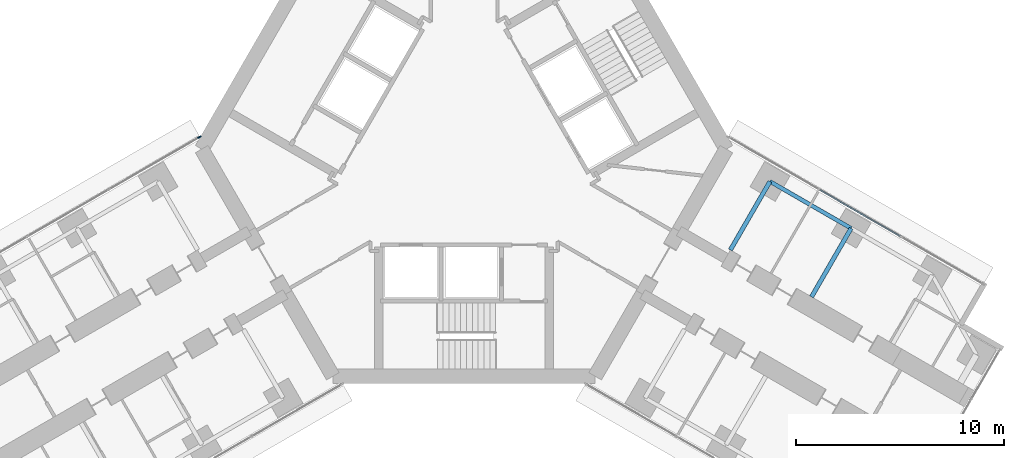
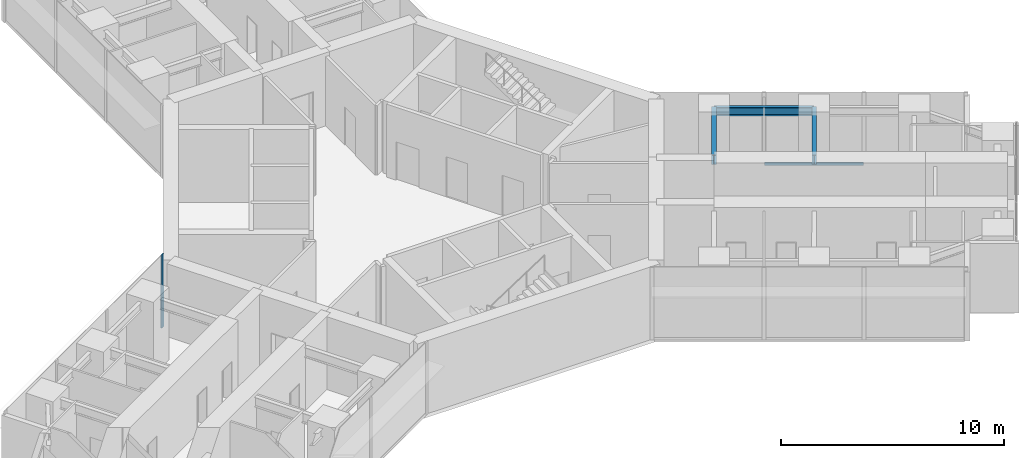
# One storey, part 10 of 25: 3 beams, 2 members, 2 elements without a shape of their own.
"""IFC4 building model written with IfcOpenShell, lengths in metres."""

from ifc_helpers import new_model, si_unit, direction, frame, origin, origin_2d, place, context, subcontext, project, spatial, rectangle, i_section, extrude, material, material_profile, profile_set, type_object, element, aggregate, save


model = new_model("IFC4")

# Units and contexts
model_context = context("Model", 3, precision=1e-05, world=origin(), true_north=direction((0.0, 1.0)))
body_context = subcontext(model_context, "Body", "Model", "MODEL_VIEW")
ifc_project = project(units=[si_unit("LENGTHUNIT", "METRE"), si_unit("AREAUNIT", "SQUARE_METRE"), si_unit("VOLUMEUNIT", "CUBIC_METRE"), si_unit("PLANEANGLEUNIT", "RADIAN"), si_unit("MASSUNIT", "GRAM", prefix="KILO")], contexts=[model_context])

# Site, building, storey
site_placement = place(None, origin())
site = spatial("IfcSite", under=ifc_project, at=site_placement, CompositionType="ELEMENT")
building_placement = place(site_placement, origin())
building = spatial("IfcBuilding", under=site, at=building_placement, Name="Upepo Twin Towers", CompositionType="ELEMENT")
storey_placement = place(building_placement, frame((0.0, 0.0, 76.5)))
storey = spatial("IfcBuildingStorey", under=building, at=storey_placement, Name="L18", CompositionType="ELEMENT", Elevation=76.5)

# Beams
ifc_material_1 = material(Name="Steel S355", Category="steel")
ifc_material_profile_1 = material_profile(ifc_material_1, i_section(OverallWidth=0.1904296875, OverallDepth=0.45703125, WebThickness=0.009033203125, FlangeThickness=0.014404296875, FilletRadius=0.01025390625, at=origin_2d()), Name="UB 457x191x74")
ifc_profile_set_1 = profile_set([ifc_material_profile_1], Name="Steel S355")
beam_type_1 = type_object("IfcBeamType", Name="Beam UB 457x191x74", PredefinedType="BEAM", material=ifc_profile_set_1)
beam_1_placement = place(storey_placement, frame((73.19140625, -19.553955078125, 3.571533203125), z_axis=(0.866017533419, -0.500013631625, 0.0), x_axis=(0.500013631625, 0.866017533419, 0.0)))
element("IfcBeam", 1, at=beam_1_placement, inside=storey, type_object=beam_type_1, Name="T2 edge beam CL 13.5-18.0", PredefinedType="BEAM", context=body_context, shape_type="SweptSolid", body=[
    extrude(i_section(OverallWidth=0.1904296875, OverallDepth=0.45703125, WebThickness=0.009033203125, FlangeThickness=0.014404296875, FilletRadius=0.01025390625, at=origin_2d()), origin(), (0.0, 0.0, 1.0), 4.499755859375),
])
ifc_material_2 = material(Name="Steel S355", Category="steel")
ifc_material_profile_2 = material_profile(ifc_material_2, i_section(OverallWidth=0.209228515625, OverallDepth=0.533203125, WebThickness=0.010009765625, FlangeThickness=0.015625, FilletRadius=0.0126953125, at=origin_2d()), Name="UB 533x210x92")
ifc_profile_set_2 = profile_set([ifc_material_profile_2], Name="Steel S355")
beam_type_2 = type_object("IfcBeamType", Name="Beam UB 533x210x92", PredefinedType="BEAM", material=ifc_profile_set_2)
beam_2_placement = place(storey_placement, frame((73.19140625, -19.553955078125, 3.533447265625), z_axis=(-0.500043160704, -0.866000483506, 0.0), x_axis=(0.866000483506, -0.500043160704, 0.0)))
element("IfcBeam", 2, at=beam_2_placement, inside=storey, type_object=beam_type_2, Name="T2 girder CL at 13.5", PredefinedType="BEAM", context=body_context, shape_type="SweptSolid", body=[
    extrude(i_section(OverallWidth=0.209228515625, OverallDepth=0.533203125, WebThickness=0.010009765625, FlangeThickness=0.015625, FilletRadius=0.0126953125, at=origin_2d()), origin(), (0.0, 0.0, 1.0), 3.800048828125),
])
beam_3_placement = place(storey_placement, frame((77.08837890625, -21.803955078125, 3.533447265625), z_axis=(-0.499994975061, -0.866028304915, 0.0), x_axis=(0.866028304915, -0.499994975061, 0.0)))
element("IfcBeam", 3, at=beam_3_placement, inside=storey, type_object=beam_type_2, Name="T2 girder CL at 18.0", PredefinedType="BEAM", context=body_context, shape_type="SweptSolid", body=[
    extrude(i_section(OverallWidth=0.209228515625, OverallDepth=0.533203125, WebThickness=0.010009765625, FlangeThickness=0.015625, FilletRadius=0.0126953125, at=origin_2d()), origin(), (0.0, 0.0, 1.0), 3.7998046875),
])

# Curtain wall, member
ifc_material_3 = material(Name="Aluminium and fritted glass", Category="aluminium")
curtain_wall_type = type_object("IfcCurtainWallType", Name="Tower curtain wall TW1, fritted glass", PredefinedType="NOTDEFINED", material=ifc_material_3)
curtain_wall_1_placement = place(storey_placement, origin())
curtain_wall_1 = element("IfcCurtainWall", 4, at=curtain_wall_1_placement, inside=storey, type_object=curtain_wall_type, Name="T2 L18 wing B flank R curtain wall", PredefinedType="NOTDEFINED")
ifc_material_4 = material(Name="Aluminium mullion", Category="aluminium")
ifc_material_profile_3 = material_profile(ifc_material_4, rectangle(XDim=0.06494140625, YDim=0.179931640625, at=origin_2d()), Name="MULLION 65x180")
ifc_profile_set_3 = profile_set([ifc_material_profile_3], Name="Aluminium mullion")
member_type_1 = type_object("IfcMemberType", Name="Mullion 65x180 TW1", PredefinedType="MULLION", material=ifc_profile_set_3)
member_1_placement = place(storey_placement, frame((45.79150390625, -17.427490234375, 0.0), z_axis=(0.0, 0.0, 1.0), x_axis=(-0.500000024426, 0.866025389682, 0.0)))
member_1 = element("IfcMember", 5, at=member_1_placement, type_object=member_type_1, Name="T2 L18 wing B flank R curtain wall mullion 4", PredefinedType="MULLION", context=body_context, shape_type="SweptSolid", body=[
    extrude(rectangle(XDim=0.06494140625, YDim=0.179931640625, at=origin_2d()), origin(), (0.0, 0.0, 1.0), 4.0),
])
aggregate(curtain_wall_1, [member_1])

curtain_wall_2_placement = place(storey_placement, origin())
curtain_wall_2 = element("IfcCurtainWall", 6, at=curtain_wall_2_placement, inside=storey, type_object=curtain_wall_type, Name="T2 L18 wing C flank L curtain wall", PredefinedType="NOTDEFINED")
ifc_material_5 = material(Name="Aluminium transom", Category="aluminium")
ifc_material_profile_4 = material_profile(ifc_material_5, rectangle(XDim=0.06494140625, YDim=0.14990234375, at=origin_2d()), Name="TRANSOM 65x150")
ifc_profile_set_4 = profile_set([ifc_material_profile_4], Name="Aluminium transom")
member_type_2 = type_object("IfcMemberType", Name="Transom 65x150 TW1", PredefinedType="USERDEFINED", material=ifc_profile_set_4)
member_2_placement = place(storey_placement, frame((75.593017578125, -19.958984375, 0.074951171875), z_axis=(0.866022410713, -0.500005184116, 0.0), x_axis=(0.500005184116, 0.866022410713, 0.0)))
member_2 = element("IfcMember", 7, at=member_2_placement, type_object=member_type_2, Name="T2 L18 wing C flank L curtain wall transom 2", ObjectType="TRANSOM", PredefinedType="USERDEFINED", context=body_context, shape_type="SweptSolid", body=[
    extrude(rectangle(XDim=0.06494140625, YDim=0.14990234375, at=origin_2d()), origin(), (0.0, 0.0, 1.0), 4.43505859375),
])
aggregate(curtain_wall_2, [member_2])

save(model, "model.ifc")
